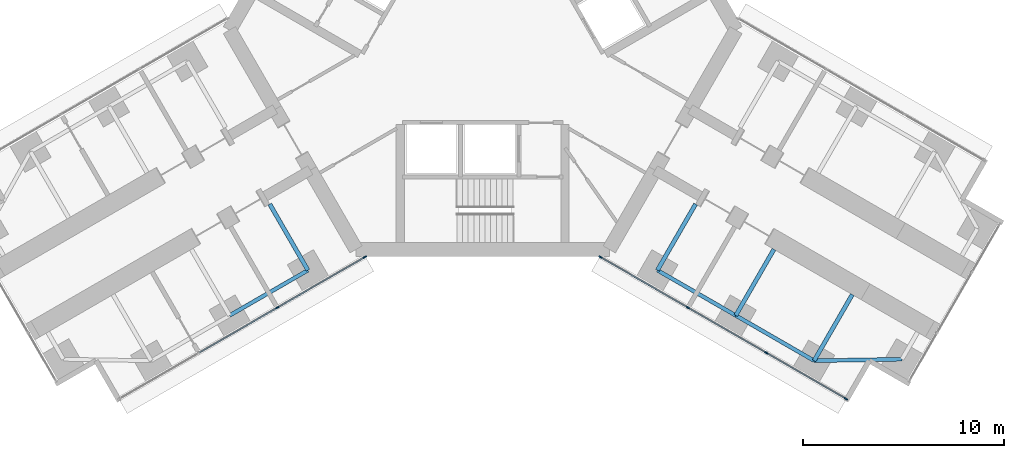
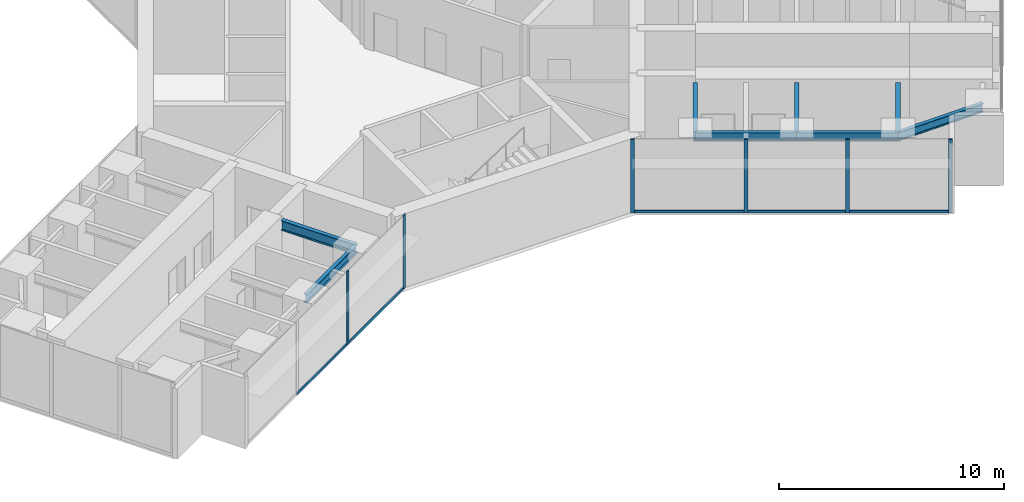
# One storey, part 9 of 22: 11 members, 8 beams, 2 elements without a shape of their own.
"""IFC4 building model written with IfcOpenShell, lengths in metres."""

from ifc_helpers import new_model, si_unit, direction, frame, origin, origin_2d, place, context, subcontext, project, spatial, rectangle, i_section, extrude, material, material_profile, profile_set, type_object, element, aggregate, save


model = new_model("IFC4")

# Units and contexts
model_context = context("Model", 3, precision=1e-05, world=origin(), true_north=direction((0.0, 1.0)))
body_context = subcontext(model_context, "Body", "Model", "MODEL_VIEW")
ifc_project = project(units=[si_unit("LENGTHUNIT", "METRE"), si_unit("AREAUNIT", "SQUARE_METRE"), si_unit("VOLUMEUNIT", "CUBIC_METRE"), si_unit("PLANEANGLEUNIT", "RADIAN"), si_unit("MASSUNIT", "GRAM", prefix="KILO")], contexts=[model_context])

# Site, building, storey
site_placement = place(None, origin())
site = spatial("IfcSite", under=ifc_project, at=site_placement, CompositionType="ELEMENT")
building_placement = place(site_placement, origin())
building = spatial("IfcBuilding", under=site, at=building_placement, Name="Upepo Twin Towers", CompositionType="ELEMENT")
storey_placement = place(building_placement, frame((0.0, 0.0, 44.5)))
storey = spatial("IfcBuildingStorey", under=building, at=storey_placement, Name="L10", CompositionType="ELEMENT", Elevation=44.5)

# Beams
ifc_material_1 = material(Name="Steel S355", Category="steel")
ifc_material_profile_1 = material_profile(ifc_material_1, i_section(OverallWidth=0.1904296875, OverallDepth=0.45703125, WebThickness=0.009033203125, FlangeThickness=0.014404296875, FilletRadius=0.01025390625, at=origin_2d()), Name="UB 457x191x74")
ifc_profile_set_1 = profile_set([ifc_material_profile_1], Name="Steel S355")
beam_type_1 = type_object("IfcBeamType", Name="Beam UB 457x191x74", PredefinedType="BEAM", material=ifc_profile_set_1)
for number, where, z_axis, x_axis, name in (
    (1, (49.80859375, -29.946044921875, 3.571533203125), (-0.866017533419, -0.500013631625, 0.0), (0.500013631625, -0.866017533419, 0.0), "T2 edge beam BL 13.5-18.0"),
    (2, (67.19140625, -29.946044921875, 3.571533203125), (0.866017533419, -0.500013631625, 0.0), (0.500013631625, 0.866017533419, 0.0), "T2 edge beam CR 13.5-18.0"),
):
    element("IfcBeam", number, at=place(storey_placement, frame(where, z_axis=z_axis, x_axis=x_axis)), inside=storey, type_object=beam_type_1, Name=name, PredefinedType="BEAM", context=body_context, shape_type="SweptSolid", body=[
        extrude(i_section(OverallWidth=0.1904296875, OverallDepth=0.45703125, WebThickness=0.009033203125, FlangeThickness=0.014404296875, FilletRadius=0.01025390625, at=origin_2d()), origin(), (0.0, 0.0, 1.0), 4.499755859375),
    ])
beam_1_placement = place(storey_placement, frame((71.08837890625, -32.196044921875, 3.571533203125), z_axis=(0.866031096941, -0.499990139034, 0.0), x_axis=(0.499990139034, 0.866031096941, 0.0)))
element("IfcBeam", 3, at=beam_1_placement, inside=storey, type_object=beam_type_1, Name="T2 edge beam CR 18.0-22.5", PredefinedType="BEAM", context=body_context, shape_type="SweptSolid", body=[
    extrude(i_section(OverallWidth=0.1904296875, OverallDepth=0.45703125, WebThickness=0.009033203125, FlangeThickness=0.014404296875, FilletRadius=0.01025390625, at=origin_2d()), origin(), (0.0, 0.0, 1.0), 4.5),
])
beam_2_placement = place(storey_placement, frame((74.985595703125, -34.446044921875, 3.571533203125), z_axis=(0.999858804832, 0.016803880528, 0.0), x_axis=(-0.016803880528, 0.999858804832, 0.0)))
element("IfcBeam", 4, at=beam_2_placement, inside=storey, type_object=beam_type_1, Name="T2 nose edge beam CR", PredefinedType="BEAM", context=body_context, shape_type="SweptSolid", body=[
    extrude(i_section(OverallWidth=0.1904296875, OverallDepth=0.45703125, WebThickness=0.009033203125, FlangeThickness=0.014404296875, FilletRadius=0.01025390625, at=origin_2d()), origin(), (0.0, 0.0, 1.0), 4.373291015625),
])
ifc_material_2 = material(Name="Steel S355", Category="steel")
ifc_material_profile_2 = material_profile(ifc_material_2, i_section(OverallWidth=0.209228515625, OverallDepth=0.533203125, WebThickness=0.010009765625, FlangeThickness=0.015625, FilletRadius=0.0126953125, at=origin_2d()), Name="UB 533x210x92")
ifc_profile_set_2 = profile_set([ifc_material_profile_2], Name="Steel S355")
beam_type_2 = type_object("IfcBeamType", Name="Beam UB 533x210x92", PredefinedType="BEAM", material=ifc_profile_set_2)
for number, where, z_axis, x_axis, name in (
    (5, (49.80859375, -29.946044921875, 3.533447265625), (-0.499994975061, 0.866028304915, 0.0), (-0.866028304915, -0.499994975061, 0.0), "T2 girder BL at 13.5"),
    (6, (67.19140625, -29.946044921875, 3.533447265625), (0.499994975061, 0.866028304915, 0.0), (-0.866028304915, 0.499994975061, 0.0), "T2 girder CR at 13.5"),
):
    element("IfcBeam", number, at=place(storey_placement, frame(where, z_axis=z_axis, x_axis=x_axis)), inside=storey, type_object=beam_type_2, Name=name, PredefinedType="BEAM", context=body_context, shape_type="SweptSolid", body=[
        extrude(i_section(OverallWidth=0.209228515625, OverallDepth=0.533203125, WebThickness=0.010009765625, FlangeThickness=0.015625, FilletRadius=0.0126953125, at=origin_2d()), origin(), (0.0, 0.0, 1.0), 3.7998046875),
    ])
beam_3_placement = place(storey_placement, frame((71.08837890625, -32.196044921875, 3.533447265625), z_axis=(0.500043160704, 0.866000483506, 0.0), x_axis=(-0.866000483506, 0.500043160704, 0.0)))
element("IfcBeam", 7, at=beam_3_placement, inside=storey, type_object=beam_type_2, Name="T2 girder CR at 18.0", PredefinedType="BEAM", context=body_context, shape_type="SweptSolid", body=[
    extrude(i_section(OverallWidth=0.209228515625, OverallDepth=0.533203125, WebThickness=0.010009765625, FlangeThickness=0.015625, FilletRadius=0.0126953125, at=origin_2d()), origin(), (0.0, 0.0, 1.0), 3.800048828125),
])
beam_4_placement = place(storey_placement, frame((74.985595703125, -34.446044921875, 3.533447265625), z_axis=(0.499994975061, 0.866028304915, 0.0), x_axis=(-0.866028304915, 0.499994975061, 0.0)))
element("IfcBeam", 8, at=beam_4_placement, inside=storey, type_object=beam_type_2, Name="T2 girder CR at 22.5", PredefinedType="BEAM", context=body_context, shape_type="SweptSolid", body=[
    extrude(i_section(OverallWidth=0.209228515625, OverallDepth=0.533203125, WebThickness=0.010009765625, FlangeThickness=0.015625, FilletRadius=0.0126953125, at=origin_2d()), origin(), (0.0, 0.0, 1.0), 3.7998046875),
])

# Curtain wall, members
ifc_material_3 = material(Name="Aluminium and fritted glass", Category="aluminium")
curtain_wall_type = type_object("IfcCurtainWallType", Name="Tower curtain wall TW1, fritted glass", PredefinedType="NOTDEFINED", material=ifc_material_3)
curtain_wall_1_placement = place(storey_placement, origin())
curtain_wall_1 = element("IfcCurtainWall", 9, at=curtain_wall_1_placement, inside=storey, type_object=curtain_wall_type, Name="T2 L10 wing B flank L curtain wall", PredefinedType="NOTDEFINED")
ifc_material_4 = material(Name="Aluminium mullion", Category="aluminium")
ifc_material_profile_3 = material_profile(ifc_material_4, rectangle(XDim=0.06494140625, YDim=0.179931640625, at=origin_2d()), Name="MULLION 65x180")
ifc_profile_set_3 = profile_set([ifc_material_profile_3], Name="Aluminium mullion")
member_type_1 = type_object("IfcMemberType", Name="Mullion 65x180 TW1", PredefinedType="MULLION", material=ifc_profile_set_3)
member_1_placement = place(storey_placement, frame((52.6416015625, -29.2919921875, 0.0), z_axis=(0.0, 0.0, 1.0), x_axis=(0.500000024426, -0.866025389682, 0.0)))
member_1 = element("IfcMember", 10, at=member_1_placement, type_object=member_type_1, Name="T2 L10 wing B flank L curtain wall mullion 1", PredefinedType="MULLION", context=body_context, shape_type="SweptSolid", body=[
    extrude(rectangle(XDim=0.06494140625, YDim=0.179931640625, at=origin_2d()), origin(), (0.0, 0.0, 1.0), 4.0),
])
member_2_placement = place(storey_placement, frame((48.28515625, -31.807373046875, 0.0), z_axis=(0.0, 0.0, 1.0), x_axis=(0.500000024426, -0.866025389682, 0.0)))
member_2 = element("IfcMember", 11, at=member_2_placement, type_object=member_type_1, Name="T2 L10 wing B flank L curtain wall mullion 2", PredefinedType="MULLION", context=body_context, shape_type="SweptSolid", body=[
    extrude(rectangle(XDim=0.06494140625, YDim=0.179931640625, at=origin_2d()), origin(), (0.0, 0.0, 1.0), 4.0),
])

curtain_wall_2_placement = place(storey_placement, origin())
curtain_wall_2 = element("IfcCurtainWall", 12, at=curtain_wall_2_placement, inside=storey, type_object=curtain_wall_type, Name="T2 L10 wing C flank R curtain wall", PredefinedType="NOTDEFINED")
member_3_placement = place(storey_placement, frame((76.567626953125, -36.341064453125, 0.0), z_axis=(0.0, 0.0, 1.0), x_axis=(-0.500000024426, -0.866025389682, 0.0)))
member_3 = element("IfcMember", 13, at=member_3_placement, type_object=member_type_1, Name="T2 L10 wing C flank R curtain wall mullion 1", PredefinedType="MULLION", context=body_context, shape_type="SweptSolid", body=[
    extrude(rectangle(XDim=0.06494140625, YDim=0.179931640625, at=origin_2d()), origin(), (0.0, 0.0, 1.0), 4.0),
])
member_4_placement = place(storey_placement, frame((72.612060546875, -34.057373046875, 0.0), z_axis=(0.0, 0.0, 1.0), x_axis=(-0.500000024426, -0.866025389682, 0.0)))
member_4 = element("IfcMember", 14, at=member_4_placement, type_object=member_type_1, Name="T2 L10 wing C flank R curtain wall mullion 2", PredefinedType="MULLION", context=body_context, shape_type="SweptSolid", body=[
    extrude(rectangle(XDim=0.06494140625, YDim=0.179931640625, at=origin_2d()), origin(), (0.0, 0.0, 1.0), 4.0),
])
member_5_placement = place(storey_placement, frame((68.71484375, -31.807373046875, 0.0), z_axis=(0.0, 0.0, 1.0), x_axis=(-0.500000024426, -0.866025389682, 0.0)))
member_5 = element("IfcMember", 15, at=member_5_placement, type_object=member_type_1, Name="T2 L10 wing C flank R curtain wall mullion 3", PredefinedType="MULLION", context=body_context, shape_type="SweptSolid", body=[
    extrude(rectangle(XDim=0.06494140625, YDim=0.179931640625, at=origin_2d()), origin(), (0.0, 0.0, 1.0), 4.0),
])
member_6_placement = place(storey_placement, frame((64.3583984375, -29.2919921875, 0.0), z_axis=(0.0, 0.0, 1.0), x_axis=(-0.500000024426, -0.866025389682, 0.0)))
member_6 = element("IfcMember", 16, at=member_6_placement, type_object=member_type_1, Name="T2 L10 wing C flank R curtain wall mullion 4", PredefinedType="MULLION", context=body_context, shape_type="SweptSolid", body=[
    extrude(rectangle(XDim=0.06494140625, YDim=0.179931640625, at=origin_2d()), origin(), (0.0, 0.0, 1.0), 4.0),
])

# Member
ifc_material_5 = material(Name="Aluminium transom", Category="aluminium")
ifc_material_profile_4 = material_profile(ifc_material_5, rectangle(XDim=0.06494140625, YDim=0.14990234375, at=origin_2d()), Name="TRANSOM 65x150")
ifc_profile_set_4 = profile_set([ifc_material_profile_4], Name="Aluminium transom")
member_type_2 = type_object("IfcMemberType", Name="Transom 65x150 TW1", PredefinedType="USERDEFINED", material=ifc_profile_set_4)
member_7_placement = place(storey_placement, frame((52.61328125, -29.308349609375, 0.074951171875), z_axis=(-0.866022642139, -0.50000478328, 0.0), x_axis=(0.50000478328, -0.866022642139, 0.0)))
member_7 = element("IfcMember", 17, at=member_7_placement, type_object=member_type_2, Name="T2 L10 wing B flank L curtain wall transom 1", ObjectType="TRANSOM", PredefinedType="USERDEFINED", context=body_context, shape_type="SweptSolid", body=[
    extrude(rectangle(XDim=0.06494140625, YDim=0.14990234375, at=origin_2d()), origin(), (0.0, 0.0, 1.0), 4.96533203125),
])

member_8_placement = place(storey_placement, frame((48.2568359375, -31.823486328125, 0.074951171875), z_axis=(-0.866022410713, -0.500005184116, 0.0), x_axis=(0.500005184116, -0.866022410713, 0.0)))
member_8 = element("IfcMember", 18, at=member_8_placement, type_object=member_type_2, Name="T2 L10 wing B flank L curtain wall transom 2", ObjectType="TRANSOM", PredefinedType="USERDEFINED", context=body_context, shape_type="SweptSolid", body=[
    extrude(rectangle(XDim=0.06494140625, YDim=0.14990234375, at=origin_2d()), origin(), (0.0, 0.0, 1.0), 4.43505859375),
])

aggregate(curtain_wall_1, [member_1, member_2, member_7, member_8])

member_9_placement = place(storey_placement, frame((76.53955078125, -36.32470703125, 0.074951171875), z_axis=(-0.866035699072, 0.499982167615, 0.0), x_axis=(-0.499982167615, -0.866035699072, 0.0)))
member_9 = element("IfcMember", 19, at=member_9_placement, type_object=member_type_2, Name="T2 L10 wing C flank R curtain wall transom 1", ObjectType="TRANSOM", PredefinedType="USERDEFINED", context=body_context, shape_type="SweptSolid", body=[
    extrude(rectangle(XDim=0.06494140625, YDim=0.14990234375, at=origin_2d()), origin(), (0.0, 0.0, 1.0), 4.502685546875),
])

member_10_placement = place(storey_placement, frame((72.583984375, -34.041015625, 0.074951171875), z_axis=(-0.866022410713, 0.500005184116, 0.0), x_axis=(-0.500005184116, -0.866022410713, 0.0)))
member_10 = element("IfcMember", 20, at=member_10_placement, type_object=member_type_2, Name="T2 L10 wing C flank R curtain wall transom 2", ObjectType="TRANSOM", PredefinedType="USERDEFINED", context=body_context, shape_type="SweptSolid", body=[
    extrude(rectangle(XDim=0.06494140625, YDim=0.14990234375, at=origin_2d()), origin(), (0.0, 0.0, 1.0), 4.43505859375),
])

member_11_placement = place(storey_placement, frame((68.686767578125, -31.791015625, 0.074951171875), z_axis=(-0.866022642139, 0.50000478328, 0.0), x_axis=(-0.50000478328, -0.866022642139, 0.0)))
member_11 = element("IfcMember", 21, at=member_11_placement, type_object=member_type_2, Name="T2 L10 wing C flank R curtain wall transom 3", ObjectType="TRANSOM", PredefinedType="USERDEFINED", context=body_context, shape_type="SweptSolid", body=[
    extrude(rectangle(XDim=0.06494140625, YDim=0.14990234375, at=origin_2d()), origin(), (0.0, 0.0, 1.0), 4.96533203125),
])

aggregate(curtain_wall_2, [member_3, member_4, member_5, member_6, member_9, member_10, member_11])

save(model, "model.ifc")
